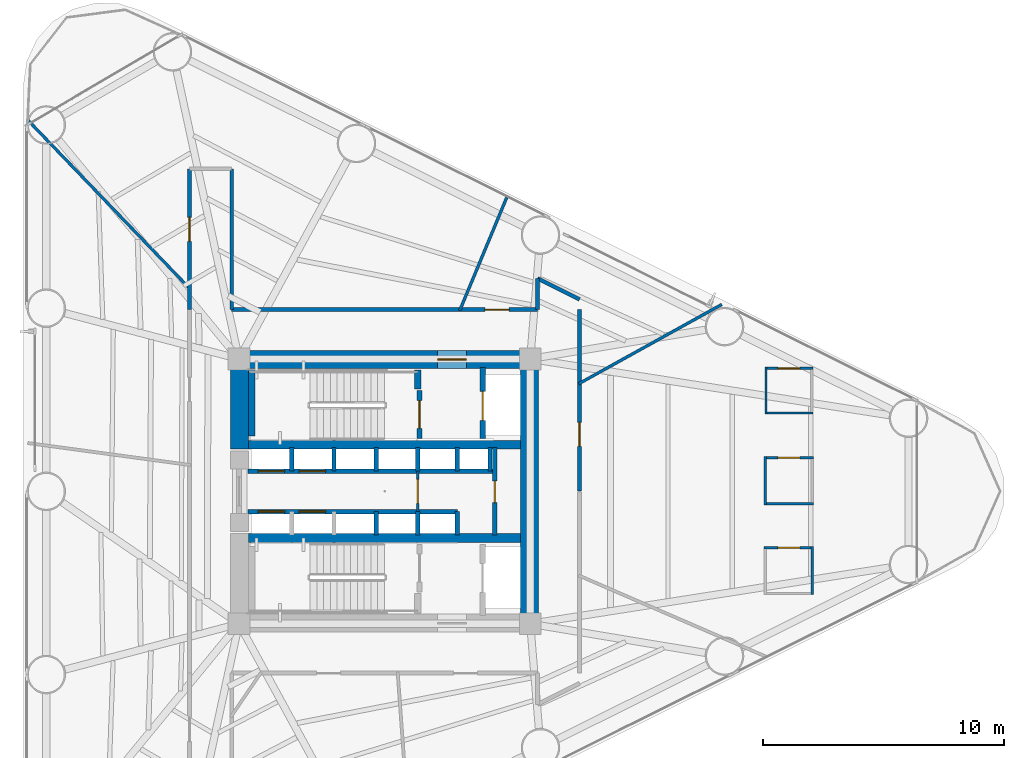
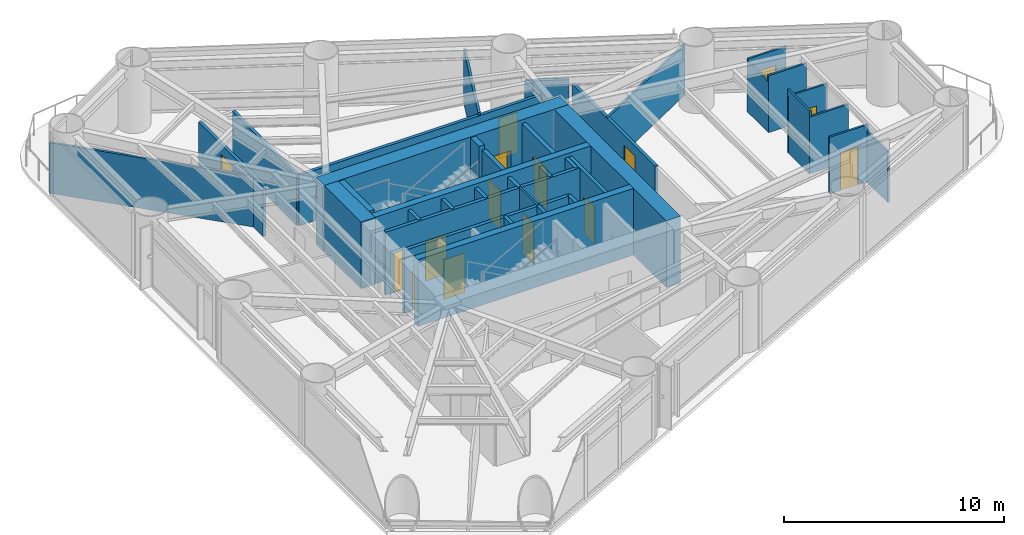
# One storey, part 6 of 10: 39 walls, 15 doors, 15 openings.
"""IFC4 building model written with IfcOpenShell, lengths in metres."""

from ifc_helpers import new_model, si_unit, direction, frame, frame_2d, origin, place, context, subcontext, project, spatial, rectangle, extrude, material, layer, layer_set, type_object, element, fill, save


model = new_model("IFC4")

# Units and contexts
model_context = context("Model", 3, precision=1e-05, world=origin(), true_north=direction((0.0, 1.0)))
body_context = subcontext(model_context, "Body", "Model", "MODEL_VIEW")
ifc_project = project(units=[si_unit("LENGTHUNIT", "METRE"), si_unit("AREAUNIT", "SQUARE_METRE"), si_unit("VOLUMEUNIT", "CUBIC_METRE"), si_unit("PLANEANGLEUNIT", "RADIAN"), si_unit("MASSUNIT", "GRAM", prefix="KILO")], contexts=[model_context])

# Site, building, storey
site_placement = place(None, origin())
site = spatial("IfcSite", under=ifc_project, at=site_placement, CompositionType="ELEMENT")
building_placement = place(site_placement, origin())
building = spatial("IfcBuilding", under=site, at=building_placement, Name="Yunling Apex Tower", CompositionType="ELEMENT")
storey_placement = place(building_placement, frame((0.0, 0.0, 38.60009765625)))
storey = spatial("IfcBuildingStorey", under=building, at=storey_placement, Name="L11", CompositionType="ELEMENT", Elevation=38.60009765625)

# Wall, opening, door
ifc_material_1 = material(Name="Concrete C60", Category="concrete")
ifc_layer_1 = layer(ifc_material_1, 0.75)
ifc_layer_set_1 = layer_set([ifc_layer_1], Name="Concrete C60")
wall_type_1 = type_object("IfcWallType", Name="WL-COR-1", PredefinedType="SHEAR", material=ifc_layer_set_1)
wall_1_placement = place(storey_placement, frame((-6.39990234375, 5.47509765625, 0.0), z_axis=(0.0, 0.0, 1.0), x_axis=(1.0, 0.0, 0.0)))
wall_1 = element("IfcWall", 1, at=wall_1_placement, inside=storey, type_object=wall_type_1, Name="L11 North Core Shear Wall", PredefinedType="SHEAR", context=body_context, shape_type="SweptSolid", body=[
    extrude(rectangle(XDim=12.7998046875, YDim=0.75, at=frame_2d((6.39990234375, 0.0))), origin(), (0.0, 0.0, 1.0), 3.699951171875),
])
opening_1_placement = place(wall_1_placement, frame((8.60009765625, 0.0, 0.0)))
opening_1 = element("IfcOpeningElement", 2, at=opening_1_placement, cuts=wall_1, Name="Opening DR-FFL-1", PredefinedType="OPENING", context=body_context, shape_type="SweptSolid", body=[
    extrude(rectangle(XDim=1.199951171875, YDim=2.199951171875, at=frame_2d((0.60009765625, 1.10009765625))), frame((0.0, 0.385009765625, 0.0), z_axis=(0.0, -1.0, 0.0), x_axis=(1.0, 0.0, 0.0)), (0.0, 0.0, 1.0), 0.77001953125),
])
ifc_material_2 = material(Name="Steel Q355B", Category="steel")
door_type_1 = type_object("IfcDoorType", Name="DR-FFL-1", OperationType="NOTDEFINED", PredefinedType="DOOR", material=ifc_material_2)
door_1_placement = place(opening_1_placement, origin())
door_1 = element("IfcDoor", 3, at=door_1_placement, inside=storey, type_object=door_type_1, Name="L11 North Firefighting Lobby Door", OperationType="SINGLE_SWING_LEFT", OverallHeight=2.199951171875, OverallWidth=1.199951171875, PredefinedType="DOOR", context=body_context, shape_type="SweptSolid", body=[
    extrude(rectangle(XDim=1.199951171875, YDim=2.199951171875, at=frame_2d((0.60009765625, 1.10009765625))), frame((0.0, 0.02490234375, 0.0), z_axis=(0.0, -1.0, 0.0), x_axis=(1.0, 0.0, 0.0)), (0.0, 0.0, 1.0), 0.050048828125),
])
fill(opening_1, door_1)

# Walls
wall_2_placement = place(storey_placement, frame((6.02490234375, -5.10009765625, 0.0), z_axis=(0.0, 0.0, 1.0), x_axis=(0.0, 1.0, 0.0)))
element("IfcWall", 4, at=wall_2_placement, inside=storey, type_object=wall_type_1, Name="L11 East Core Shear Wall", PredefinedType="SHEAR", context=body_context, shape_type="SweptSolid", body=[
    extrude(rectangle(XDim=10.2001953125, YDim=0.75, at=frame_2d((5.10009765625, 0.0))), origin(), (0.0, 0.0, 1.0), 3.699951171875),
])
wall_3_placement = place(storey_placement, frame((-6.02490234375, 1.75, 0.0), z_axis=(0.0, 0.0, 1.0), x_axis=(0.0, 1.0, 0.0)))
element("IfcWall", 5, at=wall_3_placement, inside=storey, type_object=wall_type_1, Name="L11 West-North Core Shear Wall", PredefinedType="SHEAR", context=body_context, shape_type="SweptSolid", body=[
    extrude(rectangle(XDim=3.35009765625, YDim=0.75, at=frame_2d((1.675048828125, 0.0))), origin(), (0.0, 0.0, 1.0), 3.699951171875),
])
ifc_material_3 = material(Name="Concrete C40", Category="concrete")
ifc_layer_2 = layer(ifc_material_3, 0.360107421875)
ifc_layer_set_2 = layer_set([ifc_layer_2], Name="Concrete C40")
wall_type_2 = type_object("IfcWallType", Name="WL-COR-4", PredefinedType="SHEAR", material=ifc_layer_set_2)
for number, where, z_axis, x_axis, name in (
    (6, (-5.64990234375, 1.93994140625, 0.0), (0.0, 0.0, 1.0), (1.0, 0.0, 0.0), "L11 North Internal Core Shear Wall"),
    (7, (-5.64990234375, -1.93994140625, 0.0), (0.0, 0.0, 1.0), (1.0, 0.0, 0.0), "L11 South Internal Core Shear Wall"),
):
    element("IfcWall", number, at=place(storey_placement, frame(where, z_axis=z_axis, x_axis=x_axis)), inside=storey, type_object=wall_type_2, Name=name, PredefinedType="SHEAR", context=body_context, shape_type="SweptSolid", body=[
        extrude(rectangle(XDim=11.2998046875, YDim=0.360107421875, at=frame_2d((5.64990234375, 0.0))), origin(), (0.0, 0.0, 1.0), 3.699951171875),
    ])
ifc_layer_3 = layer(ifc_material_3, 0.280029296875)
ifc_layer_set_3 = layer_set([ifc_layer_3], Name="Concrete C40")
wall_type_3 = type_object("IfcWallType", Name="WL-COR-8", PredefinedType="SHEAR", material=ifc_layer_set_3)
wall_4_placement = place(storey_placement, frame((-5.52001953125, 2.300048828125, 0.0), z_axis=(0.0, 0.0, 1.0), x_axis=(0.0, 1.0, 0.0)))
element("IfcWall", 8, at=wall_4_placement, inside=storey, type_object=wall_type_3, Name="L11 ST-1 West Landing Bearing Wall", PredefinedType="SHEAR", context=body_context, shape_type="SweptSolid", body=[
    extrude(rectangle(XDim=2.75, YDim=0.280029296875, at=frame_2d((1.375, 0.0))), origin(), (0.0, 0.0, 1.0), 3.699951171875),
])
wall_5_placement = place(storey_placement, frame((1.3798828125, 4.25, 0.0), z_axis=(0.0, 0.0, 1.0), x_axis=(0.0, 1.0, 0.0)))
element("IfcWall", 9, at=wall_5_placement, inside=storey, type_object=wall_type_3, Name="L11 ST-1 East Landing Bearing Pier", PredefinedType="SHEAR", context=body_context, shape_type="SweptSolid", body=[
    extrude(rectangle(XDim=0.800048828125, YDim=0.280029296875, at=frame_2d((0.39990234375, 0.0))), origin(), (0.0, 0.0, 1.0), 3.699951171875),
])

# Wall, opening, door
ifc_material_4 = material(Name="Gypsum board acoustic partition")
ifc_layer_4 = layer(ifc_material_4, 0.159912109375)
ifc_layer_set_4 = layer_set([ifc_layer_4], Name="Gypsum board acoustic partition")
wall_type_4 = type_object("IfcWallType", Name="WL-PRT-1", PredefinedType="PARTITIONING", material=ifc_layer_set_4)
wall_6_placement = place(storey_placement, frame((-8.10009765625, 7.550048828125, 0.0), z_axis=(0.0, 0.0, 1.0), x_axis=(0.0, 1.0, 0.0)))
wall_6 = element("IfcWall", 10, at=wall_6_placement, inside=storey, type_object=wall_type_4, Name="WL-CORR-L11-06", PredefinedType="PARTITIONING", context=body_context, shape_type="SweptSolid", body=[
    extrude(rectangle(XDim=5.849853515625, YDim=0.159912109375, at=frame_2d((2.9248046875, 0.0))), origin(), (0.0, 0.0, 1.0), 2.7998046875),
])
opening_2_placement = place(wall_6_placement, frame((2.830078125, 0.0, 0.0)))
opening_2 = element("IfcOpeningElement", 11, at=opening_2_placement, cuts=wall_6, Name="Opening DR-OFF-1", PredefinedType="OPENING", context=body_context, shape_type="SweptSolid", body=[
    extrude(rectangle(XDim=1.0, YDim=2.25, at=frame_2d((0.5, 1.125))), frame((0.0, 0.08984375, 0.0), z_axis=(0.0, -1.0, 0.0), x_axis=(1.0, 0.0, 0.0)), (0.0, 0.0, 1.0), 0.179931640625),
])
ifc_material_5 = material(Name="Bronze anodised aluminium", Category="aluminium")
door_type_2 = type_object("IfcDoorType", Name="DR-OFF-1", OperationType="NOTDEFINED", PredefinedType="DOOR", material=ifc_material_5)
door_2_placement = place(opening_2_placement, origin())
door_2 = element("IfcDoor", 12, at=door_2_placement, inside=storey, type_object=door_type_2, Name="L11 Staff Fitness Club Door", OperationType="SINGLE_SWING_RIGHT", OverallHeight=2.25, OverallWidth=1.0, PredefinedType="DOOR", context=body_context, shape_type="SweptSolid", body=[
    extrude(rectangle(XDim=1.0, YDim=2.25, at=frame_2d((0.5, 1.125))), frame((0.0, 0.02490234375, 0.0), z_axis=(0.0, -1.0, 0.0), x_axis=(1.0, 0.0, 0.0)), (0.0, 0.0, 1.0), 0.050048828125),
])
fill(opening_2, door_2)

# Wall
wall_7_placement = place(storey_placement, frame((-6.35009765625, 13.39990234375, 0.0), z_axis=(0.0, 0.0, 1.0), x_axis=(0.0, -1.0, 0.0)))
element("IfcWall", 13, at=wall_7_placement, inside=storey, type_object=wall_type_4, Name="WL-CORR-L11-08", PredefinedType="PARTITIONING", context=body_context, shape_type="SweptSolid", body=[
    extrude(rectangle(XDim=5.849853515625, YDim=0.159912109375, at=frame_2d((2.9248046875, 0.0))), origin(), (0.0, 0.0, 1.0), 2.7998046875),
])

# Wall, opening, door
wall_8_placement = place(storey_placement, frame((-6.35009765625, 7.550048828125, 0.0), z_axis=(0.0, 0.0, 1.0), x_axis=(1.0, 0.0, 0.0)))
wall_8 = element("IfcWall", 14, at=wall_8_placement, inside=storey, type_object=wall_type_4, Name="WL-CORR-L11-09", PredefinedType="PARTITIONING", context=body_context, shape_type="SweptSolid", body=[
    extrude(rectangle(XDim=12.7001953125, YDim=0.159912109375, at=frame_2d((6.35009765625, 0.0))), origin(), (0.0, 0.0, 1.0), 2.7998046875),
])
opening_3_placement = place(wall_8_placement, frame((10.52001953125, 0.0, 0.0)))
opening_3 = element("IfcOpeningElement", 15, at=opening_3_placement, cuts=wall_8, Name="Opening DR-OFF-1", PredefinedType="OPENING", context=body_context, shape_type="SweptSolid", body=[
    extrude(rectangle(XDim=1.0, YDim=2.25, at=frame_2d((0.5, 1.125))), frame((0.0, 0.08984375, 0.0), z_axis=(0.0, -1.0, 0.0), x_axis=(1.0, 0.0, 0.0)), (0.0, 0.0, 1.0), 0.179931640625),
])
door_3_placement = place(opening_3_placement, origin())
door_3 = element("IfcDoor", 16, at=door_3_placement, inside=storey, type_object=door_type_2, Name="L11 Document Archive Store Door", OperationType="SINGLE_SWING_LEFT", OverallHeight=2.25, OverallWidth=1.0, PredefinedType="DOOR", context=body_context, shape_type="SweptSolid", body=[
    extrude(rectangle(XDim=1.0, YDim=2.25, at=frame_2d((0.5, 1.125))), frame((0.0, 0.02490234375, 0.0), z_axis=(0.0, -1.0, 0.0), x_axis=(1.0, 0.0, 0.0)), (0.0, 0.0, 1.0), 0.050048828125),
])
fill(opening_3, door_3)

# Walls
wall_9_placement = place(storey_placement, frame((6.35009765625, 7.550048828125, 0.0), z_axis=(0.0, 0.0, 1.0), x_axis=(0.0, 1.0, 0.0)))
element("IfcWall", 17, at=wall_9_placement, inside=storey, type_object=wall_type_4, Name="WL-CORR-L11-10", PredefinedType="PARTITIONING", context=body_context, shape_type="SweptSolid", body=[
    extrude(rectangle(XDim=1.296142578125, YDim=0.159912109375, at=frame_2d((0.64794921875, 0.0))), origin(), (0.0, 0.0, 1.0), 2.7998046875),
])
wall_10_placement = place(storey_placement, frame((6.35009765625, 8.84619140625, 0.0), z_axis=(0.0, 0.0, 1.0), x_axis=(0.89527489017, -0.445514164793, 0.0)))
element("IfcWall", 18, at=wall_10_placement, inside=storey, type_object=wall_type_4, Name="WL-CORR-L11-11", PredefinedType="PARTITIONING", context=body_context, shape_type="SweptSolid", body=[
    extrude(rectangle(XDim=1.95458984375, YDim=0.159912109375, at=frame_2d((0.977294921875, 0.0))), origin(), (0.0, 0.0, 1.0), 2.7998046875),
])

# Wall, opening, door
wall_11_placement = place(storey_placement, frame((8.10009765625, 7.550048828125, 0.0), z_axis=(0.0, 0.0, 1.0), x_axis=(0.0, -1.0, 0.0)))
wall_11 = element("IfcWall", 19, at=wall_11_placement, inside=storey, type_object=wall_type_4, Name="WL-CORR-L11-13", PredefinedType="PARTITIONING", context=body_context, shape_type="SweptSolid", body=[
    extrude(rectangle(XDim=7.530029296875, YDim=0.159912109375, at=frame_2d((3.76513671875, 0.0))), origin(), (0.0, 0.0, 1.0), 2.7998046875),
])
opening_4_placement = place(wall_11_placement, frame((4.6806640625, 0.0, 0.0)))
opening_4 = element("IfcOpeningElement", 20, at=opening_4_placement, cuts=wall_11, Name="Opening DR-OFF-1", PredefinedType="OPENING", context=body_context, shape_type="SweptSolid", body=[
    extrude(rectangle(XDim=1.0, YDim=2.25, at=frame_2d((0.5, 1.125))), frame((0.0, 0.08984375, 0.0), z_axis=(0.0, -1.0, 0.0), x_axis=(1.0, 0.0, 0.0)), (0.0, 0.0, 1.0), 0.179931640625),
])
door_4_placement = place(opening_4_placement, origin())
door_4 = element("IfcDoor", 21, at=door_4_placement, inside=storey, type_object=door_type_2, Name="L11 Service Foyer Lounge Door", OperationType="SINGLE_SWING_RIGHT", OverallHeight=2.25, OverallWidth=1.0, PredefinedType="DOOR", context=body_context, shape_type="SweptSolid", body=[
    extrude(rectangle(XDim=1.0, YDim=2.25, at=frame_2d((0.5, 1.125))), frame((0.0, 0.02490234375, 0.0), z_axis=(0.0, -1.0, 0.0), x_axis=(1.0, 0.0, 0.0)), (0.0, 0.0, 1.0), 0.050048828125),
])
fill(opening_4, door_4)

# Walls
ifc_layer_5 = layer(ifc_material_4, 0.1201171875)
ifc_layer_set_5 = layer_set([ifc_layer_5], Name="Gypsum board acoustic partition")
wall_type_5 = type_object("IfcWallType", Name="WL-PRT-3", PredefinedType="PARTITIONING", material=ifc_layer_set_5)
wall_12_placement = place(storey_placement, frame((8.06005859375, 4.4677734375, 0.0), z_axis=(0.0, 0.0, 1.0), x_axis=(0.874622878111, 0.484803899618, 0.0)))
element("IfcWall", 22, at=wall_12_placement, inside=storey, type_object=wall_type_5, Name="WL-RAD-L11-01", PredefinedType="PARTITIONING", context=body_context, shape_type="SweptSolid", body=[
    extrude(rectangle(XDim=6.7958984375, YDim=0.1201171875, at=frame_2d((3.39794921875, 0.0))), origin(), (0.0, 0.0, 1.0), 2.7998046875),
])
wall_13_placement = place(storey_placement, frame((3.12158203125, 7.510009765625, 0.0), z_axis=(0.0, 0.0, 1.0), x_axis=(0.383885926118, 0.923380525963, 0.0)))
element("IfcWall", 23, at=wall_13_placement, inside=storey, type_object=wall_type_5, Name="WL-RAD-L11-02", PredefinedType="PARTITIONING", context=body_context, shape_type="SweptSolid", body=[
    extrude(rectangle(XDim=5.08642578125, YDim=0.1201171875, at=frame_2d((2.543212890625, 0.0))), origin(), (0.0, 0.0, 1.0), 2.9599609375),
])
wall_14_placement = place(storey_placement, frame((-8.06005859375, 8.38818359375, 0.0), z_axis=(0.0, 0.0, 1.0), x_axis=(-0.692869708489, 0.721062803823, 0.0)))
element("IfcWall", 24, at=wall_14_placement, inside=storey, type_object=wall_type_5, Name="WL-RAD-L11-03", PredefinedType="PARTITIONING", context=body_context, shape_type="SweptSolid", body=[
    extrude(rectangle(XDim=9.75927734375, YDim=0.1201171875, at=frame_2d((4.879638671875, 0.0))), origin(), (0.0, 0.0, 1.0), 2.7998046875),
])

# Wall, opening, door
ifc_layer_6 = layer(ifc_material_4, 0.10009765625)
ifc_layer_set_6 = layer_set([ifc_layer_6], Name="Gypsum board acoustic partition")
wall_type_6 = type_object("IfcWallType", Name="WL-PRT-4", PredefinedType="PARTITIONING", material=ifc_layer_set_6)
wall_15_placement = place(storey_placement, frame((1.3798828125, -0.840087890625, 0.0), z_axis=(0.0, 0.0, 1.0), x_axis=(0.0, 1.0, 0.0)))
wall_15 = element("IfcWall", 25, at=wall_15_placement, inside=storey, type_object=wall_type_6, Name="WL-LOB-MID-L11", PredefinedType="PARTITIONING", context=body_context, shape_type="SweptSolid", body=[
    extrude(rectangle(XDim=1.68017578125, YDim=0.10009765625, at=frame_2d((0.840087890625, 0.0))), origin(), (0.0, 0.0, 1.0), 3.494873046875),
])
opening_5_placement = place(wall_15_placement, frame((0.340087890625, 0.0, 0.0)))
opening_5 = element("IfcOpeningElement", 26, at=opening_5_placement, cuts=wall_15, Name="Opening DR-OFF-1", PredefinedType="OPENING", context=body_context, shape_type="SweptSolid", body=[
    extrude(rectangle(XDim=1.0, YDim=2.25, at=frame_2d((0.5, 1.125))), frame((0.0, 0.06005859375, 0.0), z_axis=(0.0, -1.0, 0.0), x_axis=(1.0, 0.0, 0.0)), (0.0, 0.0, 1.0), 0.1201171875),
])
door_5_placement = place(opening_5_placement, origin())
door_5 = element("IfcDoor", 27, at=door_5_placement, inside=storey, type_object=door_type_2, Name="L11 Core Lobby Link Door", OperationType="SINGLE_SWING_LEFT", OverallHeight=2.25, OverallWidth=1.0, PredefinedType="DOOR", context=body_context, shape_type="SweptSolid", body=[
    extrude(rectangle(XDim=1.0, YDim=2.25, at=frame_2d((0.5, 1.125))), frame((0.0, 0.02490234375, 0.0), z_axis=(0.0, -1.0, 0.0), x_axis=(1.0, 0.0, 0.0)), (0.0, 0.0, 1.0), 0.050048828125),
])
fill(opening_5, door_5)

wall_16_placement = place(storey_placement, frame((15.77001953125, 1.39306640625, 0.0), z_axis=(0.0, 0.0, 1.0), x_axis=(1.0, 0.0, 0.0)))
wall_16 = element("IfcWall", 28, at=wall_16_placement, inside=storey, type_object=wall_type_6, Name="WL-L11-WCMN", PredefinedType="PARTITIONING", context=body_context, shape_type="SweptSolid", body=[
    extrude(rectangle(XDim=2.050048828125, YDim=0.10009765625, at=frame_2d((1.02490234375, 0.0))), origin(), (0.0, 0.0, 1.0), 3.14990234375),
])
opening_6_placement = place(wall_16_placement, frame((0.56494140625, 0.0, 0.0)))
opening_6 = element("IfcOpeningElement", 29, at=opening_6_placement, cuts=wall_16, Name="Opening DR-WC-1", PredefinedType="OPENING", context=body_context, shape_type="SweptSolid", body=[
    extrude(rectangle(XDim=0.919921875, YDim=2.10009765625, at=frame_2d((0.4599609375, 1.050048828125))), frame((0.0, 0.06005859375, 0.0), z_axis=(0.0, -1.0, 0.0), x_axis=(1.0, 0.0, 0.0)), (0.0, 0.0, 1.0), 0.1201171875),
])
ifc_material_6 = material(Name="Timber moisture-resistant leaf", Category="wood")
door_type_3 = type_object("IfcDoorType", Name="DR-WC-1", OperationType="NOTDEFINED", PredefinedType="DOOR", material=ifc_material_6)
door_6_placement = place(opening_6_placement, origin())
door_6 = element("IfcDoor", 30, at=door_6_placement, inside=storey, type_object=door_type_3, Name="L11 Male Toilet Door", OperationType="SINGLE_SWING_LEFT", OverallHeight=2.10009765625, OverallWidth=0.919921875, PredefinedType="DOOR", context=body_context, shape_type="SweptSolid", body=[
    extrude(rectangle(XDim=0.919921875, YDim=2.10009765625, at=frame_2d((0.4599609375, 1.050048828125))), frame((0.0, 0.02490234375, 0.0), z_axis=(0.0, -1.0, 0.0), x_axis=(1.0, 0.0, 0.0)), (0.0, 0.0, 1.0), 0.050048828125),
])
fill(opening_6, door_6)

# Walls
wall_17_placement = place(storey_placement, frame((17.820068359375, -0.507080078125, 0.0), z_axis=(0.0, 0.0, 1.0), x_axis=(-1.0, 0.0, 0.0)))
element("IfcWall", 31, at=wall_17_placement, inside=storey, type_object=wall_type_6, Name="WL-L11-WCMS", PredefinedType="PARTITIONING", context=body_context, shape_type="SweptSolid", body=[
    extrude(rectangle(XDim=2.050048828125, YDim=0.10009765625, at=frame_2d((1.02490234375, 0.0))), origin(), (0.0, 0.0, 1.0), 3.14990234375),
])
wall_18_placement = place(storey_placement, frame((15.820068359375, -0.556884765625, 0.0), z_axis=(0.0, 0.0, 1.0), x_axis=(0.0, 1.0, 0.0)))
element("IfcWall", 32, at=wall_18_placement, inside=storey, type_object=wall_type_6, Name="WL-L11-WCMW", PredefinedType="PARTITIONING", context=body_context, shape_type="SweptSolid", body=[
    extrude(rectangle(XDim=2.0, YDim=0.10009765625, at=frame_2d((1.0, 0.0))), origin(), (0.0, 0.0, 1.0), 3.494873046875),
])

# Wall, opening, door
wall_19_placement = place(storey_placement, frame((15.77001953125, -2.343994140625, 0.0), z_axis=(0.0, 0.0, 1.0), x_axis=(1.0, 0.0, 0.0)))
wall_19 = element("IfcWall", 33, at=wall_19_placement, inside=storey, type_object=wall_type_6, Name="WL-L11-WCFN", PredefinedType="PARTITIONING", context=body_context, shape_type="SweptSolid", body=[
    extrude(rectangle(XDim=2.050048828125, YDim=0.10009765625, at=frame_2d((1.02490234375, 0.0))), origin(), (0.0, 0.0, 1.0), 3.14990234375),
])
opening_7_placement = place(wall_19_placement, frame((0.56494140625, 0.0, 0.0)))
opening_7 = element("IfcOpeningElement", 34, at=opening_7_placement, cuts=wall_19, Name="Opening DR-WC-1", PredefinedType="OPENING", context=body_context, shape_type="SweptSolid", body=[
    extrude(rectangle(XDim=0.919921875, YDim=2.10009765625, at=frame_2d((0.4599609375, 1.050048828125))), frame((0.0, 0.06005859375, 0.0), z_axis=(0.0, -1.0, 0.0), x_axis=(1.0, 0.0, 0.0)), (0.0, 0.0, 1.0), 0.1201171875),
])
door_7_placement = place(opening_7_placement, origin())
door_7 = element("IfcDoor", 35, at=door_7_placement, inside=storey, type_object=door_type_3, Name="L11 Female Toilet Door", OperationType="SINGLE_SWING_RIGHT", OverallHeight=2.10009765625, OverallWidth=0.919921875, PredefinedType="DOOR", context=body_context, shape_type="SweptSolid", body=[
    extrude(rectangle(XDim=0.919921875, YDim=2.10009765625, at=frame_2d((0.4599609375, 1.050048828125))), frame((0.0, 0.02490234375, 0.0), z_axis=(0.0, -1.0, 0.0), x_axis=(1.0, 0.0, 0.0)), (0.0, 0.0, 1.0), 0.050048828125),
])
fill(opening_7, door_7)

# Wall
wall_20_placement = place(storey_placement, frame((17.77001953125, -2.2939453125, 0.0), z_axis=(0.0, 0.0, 1.0), x_axis=(0.0, -1.0, 0.0)))
element("IfcWall", 36, at=wall_20_placement, inside=storey, type_object=wall_type_6, Name="WL-L11-WCFE", PredefinedType="PARTITIONING", context=body_context, shape_type="SweptSolid", body=[
    extrude(rectangle(XDim=2.0, YDim=0.10009765625, at=frame_2d((1.0, 0.0))), origin(), (0.0, 0.0, 1.0), 2.7998046875),
])

# Wall, opening, door
wall_21_placement = place(storey_placement, frame((15.794921875, 5.10595703125, 0.0), z_axis=(0.0, 0.0, 1.0), x_axis=(1.0, 0.0, 0.0)))
wall_21 = element("IfcWall", 37, at=wall_21_placement, inside=storey, type_object=wall_type_6, Name="WL-L11-WCAN", PredefinedType="PARTITIONING", context=body_context, shape_type="SweptSolid", body=[
    extrude(rectangle(XDim=2.0, YDim=0.10009765625, at=frame_2d((1.0, 0.0))), origin(), (0.0, 0.0, 1.0), 2.9599609375),
])
opening_8_placement = place(wall_21_placement, frame((0.5400390625, 0.0, 0.0)))
opening_8 = element("IfcOpeningElement", 38, at=opening_8_placement, cuts=wall_21, Name="Opening DR-WC-1", PredefinedType="OPENING", context=body_context, shape_type="SweptSolid", body=[
    extrude(rectangle(XDim=0.919921875, YDim=2.10009765625, at=frame_2d((0.4599609375, 1.050048828125))), frame((0.0, 0.06005859375, 0.0), z_axis=(0.0, -1.0, 0.0), x_axis=(1.0, 0.0, 0.0)), (0.0, 0.0, 1.0), 0.1201171875),
])
door_8_placement = place(opening_8_placement, origin())
door_8 = element("IfcDoor", 39, at=door_8_placement, inside=storey, type_object=door_type_3, Name="L11 Accessible WC Door", OperationType="SINGLE_SWING_LEFT", OverallHeight=2.10009765625, OverallWidth=0.919921875, PredefinedType="DOOR", context=body_context, shape_type="SweptSolid", body=[
    extrude(rectangle(XDim=0.919921875, YDim=2.10009765625, at=frame_2d((0.4599609375, 1.050048828125))), frame((0.0, 0.02490234375, 0.0), z_axis=(0.0, -1.0, 0.0), x_axis=(1.0, 0.0, 0.0)), (0.0, 0.0, 1.0), 0.050048828125),
])
fill(opening_8, door_8)

# Walls
wall_22_placement = place(storey_placement, frame((17.794921875, 3.256103515625, 0.0), z_axis=(0.0, 0.0, 1.0), x_axis=(-1.0, 0.0, 0.0)))
element("IfcWall", 40, at=wall_22_placement, inside=storey, type_object=wall_type_6, Name="WL-L11-WCAS", PredefinedType="PARTITIONING", context=body_context, shape_type="SweptSolid", body=[
    extrude(rectangle(XDim=2.0, YDim=0.10009765625, at=frame_2d((1.0, 0.0))), origin(), (0.0, 0.0, 1.0), 3.14990234375),
])
wall_23_placement = place(storey_placement, frame((15.844970703125, 3.2060546875, 0.0), z_axis=(0.0, 0.0, 1.0), x_axis=(0.0, 1.0, 0.0)))
element("IfcWall", 41, at=wall_23_placement, inside=storey, type_object=wall_type_6, Name="WL-L11-WCAW", PredefinedType="PARTITIONING", context=body_context, shape_type="SweptSolid", body=[
    extrude(rectangle(XDim=1.949951171875, YDim=0.10009765625, at=frame_2d((0.97509765625, 0.0))), origin(), (0.0, 0.0, 1.0), 2.7998046875),
])

# Wall, opening, door
ifc_material_7 = material(Name="Autoclaved aerated concrete masonry", Category="masonry")
ifc_layer_7 = layer(ifc_material_7, 0.219970703125)
ifc_layer_set_7 = layer_set([ifc_layer_7], Name="Autoclaved aerated concrete masonry")
wall_type_7 = type_object("IfcWallType", Name="WL-SHF-1", PredefinedType="PLUMBINGWALL", material=ifc_layer_set_7)
wall_24_placement = place(storey_placement, frame((1.449951171875, 2.199951171875, 0.0), z_axis=(0.0, 0.0, 1.0), x_axis=(0.0, 1.0, 0.0)))
wall_24 = element("IfcWall", 42, at=wall_24_placement, inside=storey, type_object=wall_type_7, Name="WL-ST1-E-L11", PredefinedType="PLUMBINGWALL", context=body_context, shape_type="SweptSolid", body=[
    extrude(rectangle(XDim=1.97998046875, YDim=0.219970703125, at=frame_2d((0.989990234375, 0.0))), origin(), (0.0, 0.0, 1.0), 3.494873046875),
])
opening_9_placement = place(wall_24_placement, frame((0.419921875, 0.0, 0.0)))
opening_9 = element("IfcOpeningElement", 43, at=opening_9_placement, cuts=wall_24, Name="Opening DR-ST-1", PredefinedType="OPENING", context=body_context, shape_type="SweptSolid", body=[
    extrude(rectangle(XDim=1.14990234375, YDim=2.14990234375, at=frame_2d((0.574951171875, 1.074951171875))), frame((0.0, 0.1201171875, 0.0), z_axis=(0.0, -1.0, 0.0), x_axis=(1.0, 0.0, 0.0)), (0.0, 0.0, 1.0), 0.239990234375),
])
door_type_4 = type_object("IfcDoorType", Name="DR-ST-1", OperationType="NOTDEFINED", PredefinedType="DOOR", material=ifc_material_2)
door_9_placement = place(opening_9_placement, origin())
door_9 = element("IfcDoor", 44, at=door_9_placement, inside=storey, type_object=door_type_4, Name="L11 Stair ST-1 Fire Door", OperationType="SINGLE_SWING_LEFT", OverallHeight=2.14990234375, OverallWidth=1.14990234375, PredefinedType="DOOR", context=body_context, shape_type="SweptSolid", body=[
    extrude(rectangle(XDim=1.14990234375, YDim=2.14990234375, at=frame_2d((0.574951171875, 1.074951171875))), frame((0.0, 0.02490234375, 0.0), z_axis=(0.0, -1.0, 0.0), x_axis=(1.0, 0.0, 0.0)), (0.0, 0.0, 1.0), 0.050048828125),
])
fill(opening_9, door_9)

wall_25_placement = place(storey_placement, frame((4.080078125, 2.199951171875, 0.0), z_axis=(0.0, 0.0, 1.0), x_axis=(0.0, 1.0, 0.0)))
wall_25 = element("IfcWall", 45, at=wall_25_placement, inside=storey, type_object=wall_type_7, Name="WL-FFL1-W-L11", PredefinedType="PLUMBINGWALL", context=body_context, shape_type="SweptSolid", body=[
    extrude(rectangle(XDim=2.949951171875, YDim=0.219970703125, at=frame_2d((1.47509765625, 0.0))), origin(), (0.0, 0.0, 1.0), 3.494873046875),
])
opening_10_placement = place(wall_25_placement, frame((0.75, 0.0, 0.0)))
opening_10 = element("IfcOpeningElement", 46, at=opening_10_placement, cuts=wall_25, Name="Opening LD-FFL-1", PredefinedType="OPENING", context=body_context, shape_type="SweptSolid", body=[
    extrude(rectangle(XDim=1.199951171875, YDim=2.25, at=frame_2d((0.60009765625, 1.125))), frame((0.0, 0.1201171875, 0.0), z_axis=(0.0, -1.0, 0.0), x_axis=(1.0, 0.0, 0.0)), (0.0, 0.0, 1.0), 0.239990234375),
])
door_type_5 = type_object("IfcDoorType", Name="LD-FFL-1", OperationType="DOUBLE_DOOR_SLIDING", PredefinedType="DOOR", material=ifc_material_2)
door_10_placement = place(opening_10_placement, origin())
door_10 = element("IfcDoor", 47, at=door_10_placement, inside=storey, type_object=door_type_5, Name="L11 Lift FFL-1 Landing Door", OperationType="DOUBLE_DOOR_SLIDING", OverallHeight=2.25, OverallWidth=1.199951171875, PredefinedType="DOOR", context=body_context, shape_type="SweptSolid", body=[
    extrude(rectangle(XDim=1.199951171875, YDim=2.25, at=frame_2d((0.60009765625, 1.125))), frame((0.0, 0.02490234375, 0.0), z_axis=(0.0, -1.0, 0.0), x_axis=(1.0, 0.0, 0.0)), (0.0, 0.0, 1.0), 0.050048828125),
])
fill(opening_10, door_10)

# Walls
ifc_layer_8 = layer(ifc_material_7, 0.179931640625)
ifc_layer_set_8 = layer_set([ifc_layer_8], Name="Autoclaved aerated concrete masonry")
wall_type_8 = type_object("IfcWallType", Name="WL-SHF-2", PredefinedType="PLUMBINGWALL", material=ifc_layer_set_8)
for number, where, z_axis, x_axis, name in (
    (48, (-3.85009765625, 0.840087890625, 0.0), (0.0, 0.0, 1.0), (0.0, 1.0, 0.0), "WL-DIV-L12-L11"),
    (49, (-2.10009765625, 0.840087890625, 0.0), (0.0, 0.0, 1.0), (0.0, 1.0, 0.0), "WL-BNK-LM-N-L11"),
    (50, (-0.35009765625, 0.840087890625, 0.0), (0.0, 0.0, 1.0), (0.0, 1.0, 0.0), "WL-DIV-M12-L11"),
    (51, (-0.35009765625, -1.820068359375, 0.0), (0.0, 0.0, 1.0), (0.0, 1.0, 0.0), "WL-DIV-M34-L11"),
    (52, (1.3798828125, 0.840087890625, 0.0), (0.0, 0.0, 1.0), (0.0, 1.0, 0.0), "WL-BNK-MH-N-L11"),
    (53, (1.3798828125, -1.820068359375, 0.0), (0.0, 0.0, 1.0), (0.0, 1.0, 0.0), "WL-BNK-MH-S-L11"),
    (54, (3.02001953125, 0.840087890625, 0.0), (0.0, 0.0, 1.0), (0.0, 1.0, 0.0), "WL-DIV-H13-L11"),
    (55, (4.3798828125, 0.840087890625, 0.0), (0.0, 0.0, 1.0), (0.0, 1.0, 0.0), "WL-END-H3E-L11"),
    (56, (3.02001953125, -1.820068359375, 0.0), (0.0, 0.0, 1.0), (0.0, 1.0, 0.0), "WL-END-H2E-L11"),
):
    element("IfcWall", number, at=place(storey_placement, frame(where, z_axis=z_axis, x_axis=x_axis)), inside=storey, type_object=wall_type_8, Name=name, PredefinedType="PLUMBINGWALL", context=body_context, shape_type="SweptSolid", body=[
        extrude(rectangle(XDim=0.97998046875, YDim=0.179931640625, at=frame_2d((0.489990234375, 0.0))), origin(), (0.0, 0.0, 1.0), 3.494873046875),
    ])

# Wall, opening, door
wall_26_placement = place(storey_placement, frame((4.580078125, -1.820068359375, 0.0), z_axis=(0.0, 0.0, 1.0), x_axis=(0.0, 1.0, 0.0)))
wall_26 = element("IfcWall", 57, at=wall_26_placement, inside=storey, type_object=wall_type_8, Name="WL-KBE-W-L11", PredefinedType="PLUMBINGWALL", context=body_context, shape_type="SweptSolid", body=[
    extrude(rectangle(XDim=3.64013671875, YDim=0.179931640625, at=frame_2d((1.820068359375, 0.0))), origin(), (0.0, 0.0, 1.0), 3.494873046875),
])
opening_11_placement = place(wall_26_placement, frame((1.35009765625, 0.0, 0.0)))
opening_11 = element("IfcOpeningElement", 58, at=opening_11_placement, cuts=wall_26, Name="Opening DR-SHF-1", PredefinedType="OPENING", context=body_context, shape_type="SweptSolid", body=[
    extrude(rectangle(XDim=0.89990234375, YDim=2.050048828125, at=frame_2d((0.449951171875, 1.02490234375))), frame((0.0, 0.10009765625, 0.0), z_axis=(0.0, -1.0, 0.0), x_axis=(1.0, 0.0, 0.0)), (0.0, 0.0, 1.0), 0.199951171875),
])
door_type_6 = type_object("IfcDoorType", Name="DR-SHF-1", OperationType="NOTDEFINED", PredefinedType="DOOR", material=ifc_material_2)
door_11_placement = place(opening_11_placement, origin())
door_11 = element("IfcDoor", 59, at=door_11_placement, inside=storey, type_object=door_type_6, Name="L11 Core Meter Room Door", OperationType="SINGLE_SWING_RIGHT", OverallHeight=2.050048828125, OverallWidth=0.89990234375, PredefinedType="DOOR", context=body_context, shape_type="SweptSolid", body=[
    extrude(rectangle(XDim=0.89990234375, YDim=2.050048828125, at=frame_2d((0.449951171875, 1.02490234375))), frame((0.0, 0.02490234375, 0.0), z_axis=(0.0, -1.0, 0.0), x_axis=(1.0, 0.0, 0.0)), (0.0, 0.0, 1.0), 0.050048828125),
])
fill(opening_11, door_11)

# Wall, openings, doors
wall_27_placement = place(storey_placement, frame((-5.679931640625, 0.840087890625, 0.0), z_axis=(0.0, 0.0, 1.0), x_axis=(1.0, 0.0, 0.0)))
wall_27 = element("IfcWall", 60, at=wall_27_placement, inside=storey, type_object=wall_type_8, Name="WL-LOB-N-L11", PredefinedType="PLUMBINGWALL", context=body_context, shape_type="SweptSolid", body=[
    extrude(rectangle(XDim=10.260009765625, YDim=0.179931640625, at=frame_2d((5.1298828125, 0.0))), origin(), (0.0, 0.0, 1.0), 3.494873046875),
])
opening_12_placement = place(wall_27_placement, frame((0.429931640625, 0.0, 0.0)))
opening_12 = element("IfcOpeningElement", 61, at=opening_12_placement, cuts=wall_27, Name="Opening LD-PAS-1", PredefinedType="OPENING", context=body_context, shape_type="SweptSolid", body=[
    extrude(rectangle(XDim=1.10009765625, YDim=2.199951171875, at=frame_2d((0.550048828125, 1.10009765625))), frame((0.0, 0.10009765625, 0.0), z_axis=(0.0, -1.0, 0.0), x_axis=(1.0, 0.0, 0.0)), (0.0, 0.0, 1.0), 0.199951171875),
])
opening_13_placement = place(wall_27_placement, frame((2.1298828125, 0.0, 0.0)))
opening_13 = element("IfcOpeningElement", 62, at=opening_13_placement, cuts=wall_27, Name="Opening LD-PAS-1", PredefinedType="OPENING", context=body_context, shape_type="SweptSolid", body=[
    extrude(rectangle(XDim=1.10009765625, YDim=2.199951171875, at=frame_2d((0.550048828125, 1.10009765625))), frame((0.0, 0.10009765625, 0.0), z_axis=(0.0, -1.0, 0.0), x_axis=(1.0, 0.0, 0.0)), (0.0, 0.0, 1.0), 0.199951171875),
])
ifc_material_8 = material(Name="Silver anodised aluminium", Category="aluminium")
door_type_7 = type_object("IfcDoorType", Name="LD-PAS-1", OperationType="DOUBLE_DOOR_SLIDING", PredefinedType="DOOR", material=ifc_material_8)
door_12_placement = place(opening_12_placement, origin())
door_12 = element("IfcDoor", 63, at=door_12_placement, inside=storey, type_object=door_type_7, Name="L11 Lift PL-L1 Landing Door", OperationType="DOUBLE_DOOR_SLIDING", OverallHeight=2.199951171875, OverallWidth=1.10009765625, PredefinedType="DOOR", context=body_context, shape_type="SweptSolid", body=[
    extrude(rectangle(XDim=1.10009765625, YDim=2.199951171875, at=frame_2d((0.550048828125, 1.10009765625))), frame((0.0, 0.02490234375, 0.0), z_axis=(0.0, -1.0, 0.0), x_axis=(1.0, 0.0, 0.0)), (0.0, 0.0, 1.0), 0.050048828125),
])
fill(opening_12, door_12)
door_13_placement = place(opening_13_placement, origin())
door_13 = element("IfcDoor", 64, at=door_13_placement, inside=storey, type_object=door_type_7, Name="L11 Lift PL-L2 Landing Door", OperationType="DOUBLE_DOOR_SLIDING", OverallHeight=2.199951171875, OverallWidth=1.10009765625, PredefinedType="DOOR", context=body_context, shape_type="SweptSolid", body=[
    extrude(rectangle(XDim=1.10009765625, YDim=2.199951171875, at=frame_2d((0.550048828125, 1.10009765625))), frame((0.0, 0.02490234375, 0.0), z_axis=(0.0, -1.0, 0.0), x_axis=(1.0, 0.0, 0.0)), (0.0, 0.0, 1.0), 0.050048828125),
])
fill(opening_13, door_13)

wall_28_placement = place(storey_placement, frame((-5.679931640625, -0.840087890625, 0.0), z_axis=(0.0, 0.0, 1.0), x_axis=(1.0, 0.0, 0.0)))
wall_28 = element("IfcWall", 65, at=wall_28_placement, inside=storey, type_object=wall_type_8, Name="WL-LOB-S-L11", PredefinedType="PLUMBINGWALL", context=body_context, shape_type="SweptSolid", body=[
    extrude(rectangle(XDim=8.699951171875, YDim=0.179931640625, at=frame_2d((4.35009765625, 0.0))), origin(), (0.0, 0.0, 1.0), 3.494873046875),
])
opening_14_placement = place(wall_28_placement, frame((0.429931640625, 0.0, 0.0)))
opening_14 = element("IfcOpeningElement", 66, at=opening_14_placement, cuts=wall_28, Name="Opening LD-PAS-1", PredefinedType="OPENING", context=body_context, shape_type="SweptSolid", body=[
    extrude(rectangle(XDim=1.10009765625, YDim=2.199951171875, at=frame_2d((0.550048828125, 1.10009765625))), frame((0.0, 0.10009765625, 0.0), z_axis=(0.0, -1.0, 0.0), x_axis=(1.0, 0.0, 0.0)), (0.0, 0.0, 1.0), 0.199951171875),
])
opening_15_placement = place(wall_28_placement, frame((2.1298828125, 0.0, 0.0)))
opening_15 = element("IfcOpeningElement", 67, at=opening_15_placement, cuts=wall_28, Name="Opening LD-PAS-1", PredefinedType="OPENING", context=body_context, shape_type="SweptSolid", body=[
    extrude(rectangle(XDim=1.10009765625, YDim=2.199951171875, at=frame_2d((0.550048828125, 1.10009765625))), frame((0.0, 0.10009765625, 0.0), z_axis=(0.0, -1.0, 0.0), x_axis=(1.0, 0.0, 0.0)), (0.0, 0.0, 1.0), 0.199951171875),
])
door_14_placement = place(opening_14_placement, origin())
door_14 = element("IfcDoor", 68, at=door_14_placement, inside=storey, type_object=door_type_7, Name="L11 Lift PL-L3 Landing Door", OperationType="DOUBLE_DOOR_SLIDING", OverallHeight=2.199951171875, OverallWidth=1.10009765625, PredefinedType="DOOR", context=body_context, shape_type="SweptSolid", body=[
    extrude(rectangle(XDim=1.10009765625, YDim=2.199951171875, at=frame_2d((0.550048828125, 1.10009765625))), frame((0.0, 0.02490234375, 0.0), z_axis=(0.0, -1.0, 0.0), x_axis=(1.0, 0.0, 0.0)), (0.0, 0.0, 1.0), 0.050048828125),
])
fill(opening_14, door_14)
door_15_placement = place(opening_15_placement, origin())
door_15 = element("IfcDoor", 69, at=door_15_placement, inside=storey, type_object=door_type_7, Name="L11 Lift PL-L4 Landing Door", OperationType="DOUBLE_DOOR_SLIDING", OverallHeight=2.199951171875, OverallWidth=1.10009765625, PredefinedType="DOOR", context=body_context, shape_type="SweptSolid", body=[
    extrude(rectangle(XDim=1.10009765625, YDim=2.199951171875, at=frame_2d((0.550048828125, 1.10009765625))), frame((0.0, 0.02490234375, 0.0), z_axis=(0.0, -1.0, 0.0), x_axis=(1.0, 0.0, 0.0)), (0.0, 0.0, 1.0), 0.050048828125),
])
fill(opening_15, door_15)

save(model, "model.ifc")
